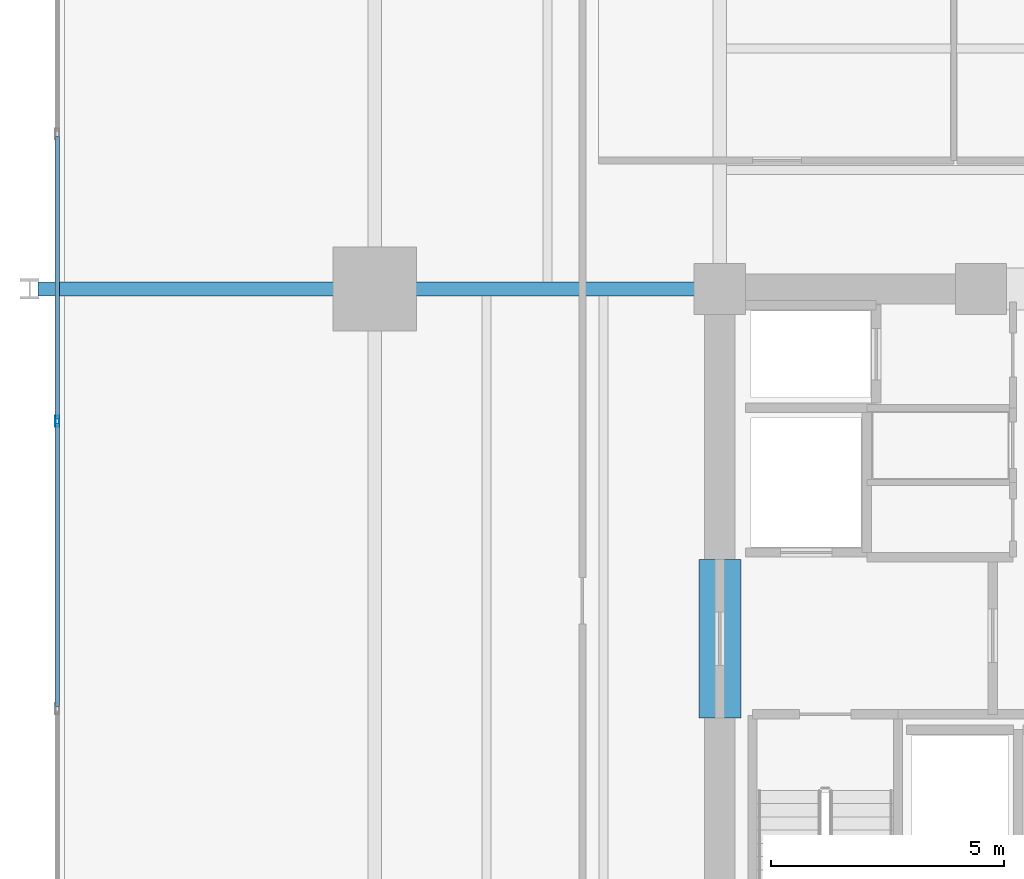
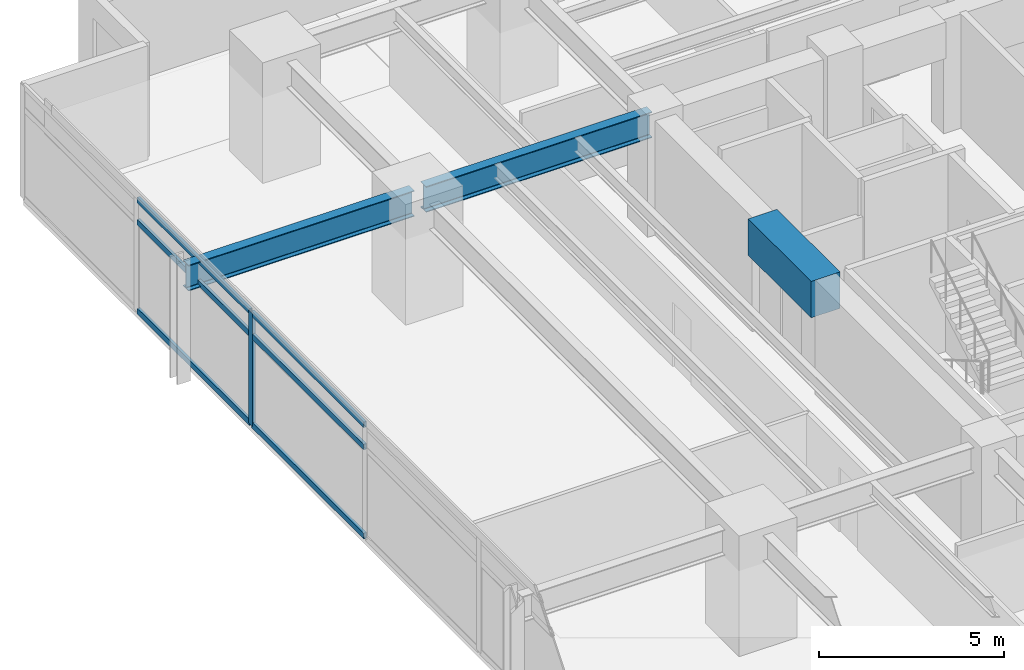
# One storey, part 7 of 20: 7 members, 3 beams, 1 element without a shape of its own.
"""IFC4 building model written with IfcOpenShell, lengths in metres."""

from ifc_helpers import new_model, si_unit, direction, frame, origin, origin_2d, place, context, subcontext, project, spatial, rectangle, hollow_rectangle, i_section, extrude, material, material_profile, profile_set, type_object, element, aggregate, save


model = new_model("IFC4")

# Units and contexts
model_context = context("Model", 3, precision=1e-05, world=origin(), true_north=direction((0.0, 1.0)))
body_context = subcontext(model_context, "Body", "Model", "MODEL_VIEW")
ifc_project = project(units=[si_unit("LENGTHUNIT", "METRE"), si_unit("AREAUNIT", "SQUARE_METRE"), si_unit("VOLUMEUNIT", "CUBIC_METRE"), si_unit("PLANEANGLEUNIT", "RADIAN"), si_unit("MASSUNIT", "GRAM", prefix="KILO")], contexts=[model_context])

# Site, building, storey
site_placement = place(None, origin())
site = spatial("IfcSite", under=ifc_project, at=site_placement, CompositionType="ELEMENT")
building_placement = place(site_placement, origin())
building = spatial("IfcBuilding", under=site, at=building_placement, Name="Kovane Verandah Tower", CompositionType="ELEMENT")
storey_placement = place(building_placement, frame((0.0, 0.0, 39.60009765625)))
storey = spatial("IfcBuildingStorey", under=building, at=storey_placement, Name="L08", CompositionType="ELEMENT", Elevation=39.60009765625)

# Beams
ifc_material_1 = material(Name="Concrete C80/95", Category="concrete")
ifc_material_profile_1 = material_profile(ifc_material_1, rectangle(XDim=0.89990234375, YDim=1.199951171875, at=origin_2d()), Name="RCB900x1200")
ifc_profile_set_1 = profile_set([ifc_material_profile_1], Name="Concrete C80/95")
beam_type_1 = type_object("IfcBeamType", Name="BM-LINTEL-900x1200", PredefinedType="LINTEL", material=ifc_profile_set_1)
beam_placement = place(storey_placement, frame((29.0, 27.300048828125, 3.159912109375), z_axis=(0.0, 1.0, 0.0), x_axis=(-1.0, 0.0, 0.0)))
element("IfcBeam", 1, at=beam_placement, inside=storey, type_object=beam_type_1, Name="L08 Core Coupling Lintel CL-W", PredefinedType="LINTEL", context=body_context, shape_type="SweptSolid", body=[
    extrude(rectangle(XDim=0.89990234375, YDim=1.199951171875, at=origin_2d()), origin(), (0.0, 0.0, 1.0), 3.39990234375),
])
ifc_material_2 = material(Name="Steel S355", Category="steel")
ifc_material_profile_2 = material_profile(ifc_material_2, i_section(OverallWidth=0.293701171875, OverallDepth=0.850830078125, WebThickness=0.01611328125, FlangeThickness=0.02685546875, FilletRadius=0.017822265625, at=origin_2d()), Name="UB838x292x226")
ifc_profile_set_2 = profile_set([ifc_material_profile_2], Name="Steel S355")
beam_type_2 = type_object("IfcBeamType", Name="BM-UB838x226", PredefinedType="BEAM", material=ifc_profile_set_2)
for number, where, z_axis, x_axis, name in (
    (2, (28.820068359375, 36.5, 3.33447265625), (-1.0, 0.0, 0.0), (0.0, -1.0, 0.0), "L08 Primary Tower Girder G-W2"),
    (3, (21.419921875, 36.5, 3.33447265625), (-1.0, 0.0, 0.0), (0.0, -1.0, 0.0), "L08 Primary Tower Girder G-VW2"),
):
    element("IfcBeam", number, at=place(storey_placement, frame(where, z_axis=z_axis, x_axis=x_axis)), inside=storey, type_object=beam_type_2, Name=name, PredefinedType="BEAM", context=body_context, shape_type="SweptSolid", body=[
        extrude(i_section(OverallWidth=0.293701171875, OverallDepth=0.850830078125, WebThickness=0.01611328125, FlangeThickness=0.02685546875, FilletRadius=0.017822265625, at=origin_2d()), origin(), (0.0, 0.0, 1.0), 7.0400390625),
    ])

# Curtain wall, members
ifc_material_3 = material(Name="Champagne Anodised Aluminium Frame with Low-E Clear Laminated Glass", Category="aluminium")
curtain_wall_type = type_object("IfcCurtainWallType", Name="CW-SYS-02-LOW", PredefinedType="NOTDEFINED", material=ifc_material_3)
curtain_wall_placement = place(storey_placement, origin())
curtain_wall = element("IfcCurtainWall", 4, at=curtain_wall_placement, inside=storey, type_object=curtain_wall_type, Name="L08 W Unitised Curtain Wall", PredefinedType="NOTDEFINED")
ifc_material_4 = material(Name="Champagne Anodised Aluminium 6063-T6", Category="aluminium")
ifc_material_profile_3 = material_profile(ifc_material_4, hollow_rectangle(XDim=0.0849609375, YDim=0.22998046875, WallThickness=0.00390625, at=origin_2d()), Name="AL85x230x4")
ifc_profile_set_3 = profile_set([ifc_material_profile_3], Name="Champagne Anodised Aluminium 6063-T6")
member_type_1 = type_object("IfcMemberType", Name="CW-MUL-85x230", PredefinedType="MULLION", material=ifc_profile_set_3)
member_1_placement = place(storey_placement, frame((14.796875, 33.66064453125, 0.02001953125), z_axis=(0.0, 0.0, 1.0), x_axis=(-1.0, 0.0, 0.0)))
member_1 = element("IfcMember", 5, at=member_1_placement, type_object=member_type_1, Name="L08 W Unitised Curtain Wall Mullion 3", PredefinedType="MULLION", context=body_context, shape_type="SweptSolid", body=[
    extrude(hollow_rectangle(XDim=0.0849609375, YDim=0.22998046875, WallThickness=0.00390625, at=origin_2d()), origin(), (0.0, 0.0, 1.0), 3.719970703125),
])
ifc_material_profile_4 = material_profile(ifc_material_4, hollow_rectangle(XDim=0.0849609375, YDim=0.18994140625, WallThickness=0.00390625, at=origin_2d()), Name="AL85x190x4")
ifc_profile_set_4 = profile_set([ifc_material_profile_4], Name="Champagne Anodised Aluminium 6063-T6")
member_type_2 = type_object("IfcMemberType", Name="CW-TRN-85x190", PredefinedType="USERDEFINED", material=ifc_profile_set_4)
member_2_placement = place(storey_placement, frame((14.796875, 39.771484375, 0.0498046875), z_axis=(0.0, -1.0, 0.0), x_axis=(1.0, 0.0, 0.0)))
member_2 = element("IfcMember", 6, at=member_2_placement, type_object=member_type_2, Name="L08 W Unitised Curtain Wall Transom TB Bay 2", ObjectType="TRANSOM", PredefinedType="USERDEFINED", context=body_context, shape_type="SweptSolid", body=[
    extrude(hollow_rectangle(XDim=0.0849609375, YDim=0.18994140625, WallThickness=0.00390625, at=origin_2d()), origin(), (0.0, 0.0, 1.0), 6.060791015625),
])
member_3_placement = place(storey_placement, frame((14.796875, 39.771484375, 2.97998046875), z_axis=(0.0, -1.0, 0.0), x_axis=(1.0, 0.0, 0.0)))
member_3 = element("IfcMember", 7, at=member_3_placement, type_object=member_type_2, Name="L08 W Unitised Curtain Wall Transom TM Bay 2", ObjectType="TRANSOM", PredefinedType="USERDEFINED", context=body_context, shape_type="SweptSolid", body=[
    extrude(hollow_rectangle(XDim=0.0849609375, YDim=0.18994140625, WallThickness=0.00390625, at=origin_2d()), origin(), (0.0, 0.0, 1.0), 6.060791015625),
])
member_4_placement = place(storey_placement, frame((14.796875, 39.771484375, 3.7099609375), z_axis=(0.0, -1.0, 0.0), x_axis=(1.0, 0.0, 0.0)))
member_4 = element("IfcMember", 8, at=member_4_placement, type_object=member_type_2, Name="L08 W Unitised Curtain Wall Transom TT Bay 2", ObjectType="TRANSOM", PredefinedType="USERDEFINED", context=body_context, shape_type="SweptSolid", body=[
    extrude(hollow_rectangle(XDim=0.0849609375, YDim=0.18994140625, WallThickness=0.00390625, at=origin_2d()), origin(), (0.0, 0.0, 1.0), 6.060791015625),
])
member_5_placement = place(storey_placement, frame((14.796875, 33.610595703125, 0.0498046875), z_axis=(0.0, -1.0, 0.0), x_axis=(1.0, 0.0, 0.0)))
member_5 = element("IfcMember", 9, at=member_5_placement, type_object=member_type_2, Name="L08 W Unitised Curtain Wall Transom TB Bay 3", ObjectType="TRANSOM", PredefinedType="USERDEFINED", context=body_context, shape_type="SweptSolid", body=[
    extrude(hollow_rectangle(XDim=0.0849609375, YDim=0.18994140625, WallThickness=0.00390625, at=origin_2d()), origin(), (0.0, 0.0, 1.0), 6.060546875),
])
member_6_placement = place(storey_placement, frame((14.796875, 33.610595703125, 2.97998046875), z_axis=(0.0, -1.0, 0.0), x_axis=(1.0, 0.0, 0.0)))
member_6 = element("IfcMember", 10, at=member_6_placement, type_object=member_type_2, Name="L08 W Unitised Curtain Wall Transom TM Bay 3", ObjectType="TRANSOM", PredefinedType="USERDEFINED", context=body_context, shape_type="SweptSolid", body=[
    extrude(hollow_rectangle(XDim=0.0849609375, YDim=0.18994140625, WallThickness=0.00390625, at=origin_2d()), origin(), (0.0, 0.0, 1.0), 6.060546875),
])
member_7_placement = place(storey_placement, frame((14.796875, 33.610595703125, 3.7099609375), z_axis=(0.0, -1.0, 0.0), x_axis=(1.0, 0.0, 0.0)))
member_7 = element("IfcMember", 11, at=member_7_placement, type_object=member_type_2, Name="L08 W Unitised Curtain Wall Transom TT Bay 3", ObjectType="TRANSOM", PredefinedType="USERDEFINED", context=body_context, shape_type="SweptSolid", body=[
    extrude(hollow_rectangle(XDim=0.0849609375, YDim=0.18994140625, WallThickness=0.00390625, at=origin_2d()), origin(), (0.0, 0.0, 1.0), 6.060546875),
])
aggregate(curtain_wall, [member_1, member_2, member_3, member_4, member_5, member_6, member_7])

save(model, "model.ifc")
